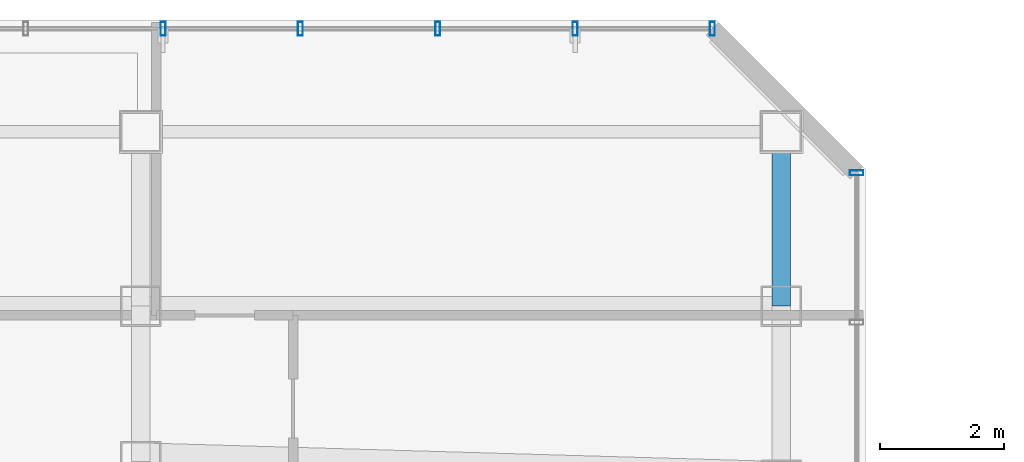
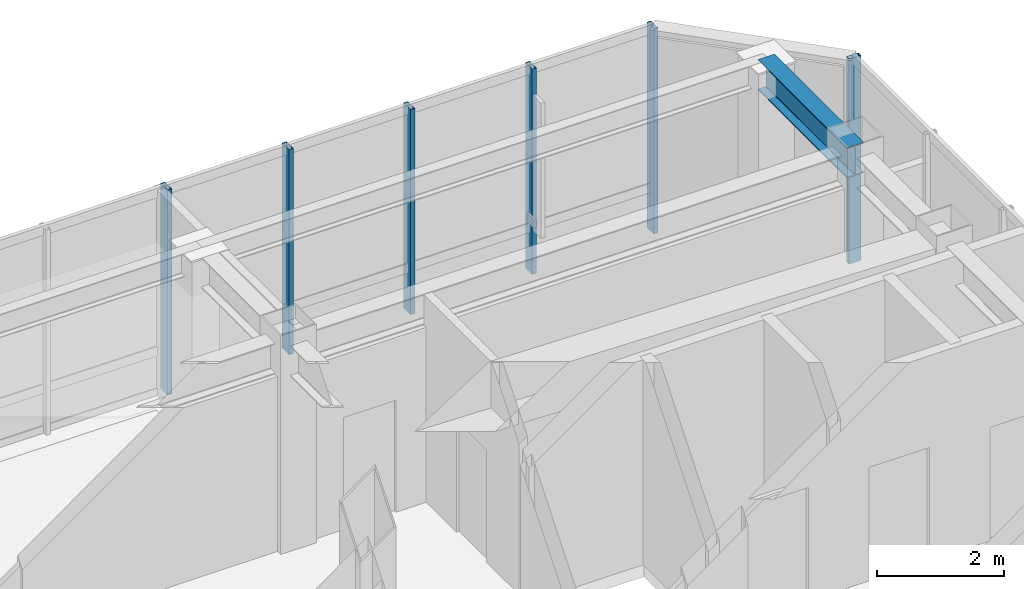
# One storey, part 15 of 22: 6 members, 1 beam, 2 elements without a shape of their own.
"""IFC4 building model written with IfcOpenShell, lengths in metres."""

from ifc_helpers import new_model, si_unit, direction, frame, origin, origin_2d, place, context, subcontext, project, spatial, hollow_rectangle, i_section, extrude, material, layer, layer_set, material_profile, profile_set, type_object, element, aggregate, save


model = new_model("IFC4")

# Units and contexts
model_context = context("Model", 3, precision=1e-05, world=origin(), true_north=direction((0.0, 1.0)))
body_context = subcontext(model_context, "Body", "Model", "MODEL_VIEW")
ifc_project = project(units=[si_unit("LENGTHUNIT", "METRE"), si_unit("AREAUNIT", "SQUARE_METRE"), si_unit("VOLUMEUNIT", "CUBIC_METRE"), si_unit("PLANEANGLEUNIT", "RADIAN"), si_unit("MASSUNIT", "GRAM", prefix="KILO")], contexts=[model_context])

# Site, building, storey
site_placement = place(None, origin())
site = spatial("IfcSite", under=ifc_project, at=site_placement, CompositionType="ELEMENT")
building_placement = place(site_placement, origin())
building = spatial("IfcBuilding", under=site, at=building_placement, Name="Hatsunagi Terrace Concourse", CompositionType="ELEMENT")
storey_placement = place(building_placement, frame((0.0, 0.0, 261.75)))
storey = spatial("IfcBuildingStorey", under=building, at=storey_placement, Name="L69", CompositionType="ELEMENT", Elevation=261.75)

# Curtain wall, members
ifc_material_1 = material(Name="Anodised Aluminium Alloy 6063-T5", Category="aluminium")
ifc_layer = layer(ifc_material_1, 0.199951171875)
ifc_layer_set = layer_set([ifc_layer], Name="SkyLobbyAtrium_CW05")
curtain_wall_type = type_object("IfcCurtainWallType", Name="SkyLobbyAtrium_CW05", PredefinedType="NOTDEFINED", material=ifc_layer_set)
curtain_wall_1_placement = place(storey_placement, origin())
curtain_wall_1 = element("IfcCurtainWall", 1, at=curtain_wall_1_placement, inside=storey, type_object=curtain_wall_type, Name="Unitised Curtain Wall CW-05 CW-L69-03", PredefinedType="NOTDEFINED")
ifc_material_2 = material(Name="Anodised Aluminium Alloy 6063-T5", Category="aluminium")
ifc_material_profile_1 = material_profile(ifc_material_2, hollow_rectangle(XDim=0.080078125, YDim=0.219970703125, WallThickness=0.0048828125, at=origin_2d()), Name="ALU-MUL-220x80x5")
ifc_profile_set_1 = profile_set([ifc_material_profile_1], Name="Anodised Aluminium Alloy 6063-T5")
member_type = type_object("IfcMemberType", Name="CurtainWallMullion_Heavy_220x80", PredefinedType="MULLION", material=ifc_profile_set_1)
member_1_placement = place(storey_placement, frame((33.7080078125, 50.260009765625, 0.0), z_axis=(0.0, 0.0, 1.0), x_axis=(1.0, 0.0, 0.0)))
member_1 = element("IfcMember", 2, at=member_1_placement, type_object=member_type, Name="Curtain Wall Mullion MUL-01", PredefinedType="MULLION", context=body_context, shape_type="SweptSolid", body=[
    extrude(hollow_rectangle(XDim=0.080078125, YDim=0.219970703125, WallThickness=0.0048828125, at=origin_2d()), origin(), (0.0, 0.0, 1.0), 3.93994140625),
])
member_2_placement = place(storey_placement, frame((35.9169921875, 50.260009765625, 0.0), z_axis=(0.0, 0.0, 1.0), x_axis=(1.0, 0.0, 0.0)))
member_2 = element("IfcMember", 3, at=member_2_placement, type_object=member_type, Name="Curtain Wall Mullion MUL-01", PredefinedType="MULLION", context=body_context, shape_type="SweptSolid", body=[
    extrude(hollow_rectangle(XDim=0.080078125, YDim=0.219970703125, WallThickness=0.0048828125, at=origin_2d()), origin(), (0.0, 0.0, 1.0), 3.93994140625),
])
member_3_placement = place(storey_placement, frame((38.125, 50.260009765625, 0.0), z_axis=(0.0, 0.0, 1.0), x_axis=(1.0, 0.0, 0.0)))
member_3 = element("IfcMember", 4, at=member_3_placement, type_object=member_type, Name="Curtain Wall Mullion MUL-01", PredefinedType="MULLION", context=body_context, shape_type="SweptSolid", body=[
    extrude(hollow_rectangle(XDim=0.080078125, YDim=0.219970703125, WallThickness=0.0048828125, at=origin_2d()), origin(), (0.0, 0.0, 1.0), 3.93994140625),
])
member_4_placement = place(storey_placement, frame((40.333984375, 50.260009765625, 0.0), z_axis=(0.0, 0.0, 1.0), x_axis=(1.0, 0.0, 0.0)))
member_4 = element("IfcMember", 5, at=member_4_placement, type_object=member_type, Name="Curtain Wall Mullion MUL-01", PredefinedType="MULLION", context=body_context, shape_type="SweptSolid", body=[
    extrude(hollow_rectangle(XDim=0.080078125, YDim=0.219970703125, WallThickness=0.0048828125, at=origin_2d()), origin(), (0.0, 0.0, 1.0), 3.93994140625),
])
member_5_placement = place(storey_placement, frame((42.5419921875, 50.260009765625, 0.0), z_axis=(0.0, 0.0, 1.0), x_axis=(1.0, 0.0, 0.0)))
member_5 = element("IfcMember", 6, at=member_5_placement, type_object=member_type, Name="Curtain Wall Mullion MUL-01", PredefinedType="MULLION", context=body_context, shape_type="SweptSolid", body=[
    extrude(hollow_rectangle(XDim=0.080078125, YDim=0.219970703125, WallThickness=0.0048828125, at=origin_2d()), origin(), (0.0, 0.0, 1.0), 3.93994140625),
])
aggregate(curtain_wall_1, [member_1, member_2, member_3, member_4, member_5])

# Curtain wall, member
curtain_wall_2_placement = place(storey_placement, origin())
curtain_wall_2 = element("IfcCurtainWall", 7, at=curtain_wall_2_placement, inside=storey, type_object=curtain_wall_type, Name="Unitised Curtain Wall CW-05 CW-L69-05", PredefinedType="NOTDEFINED")
member_6_placement = place(storey_placement, frame((44.860107421875, 47.94189453125, 0.0), z_axis=(0.0, 0.0, 1.0), x_axis=(0.0, -1.0, 0.0)))
member_6 = element("IfcMember", 8, at=member_6_placement, type_object=member_type, Name="Curtain Wall Mullion MUL-01", PredefinedType="MULLION", context=body_context, shape_type="SweptSolid", body=[
    extrude(hollow_rectangle(XDim=0.080078125, YDim=0.219970703125, WallThickness=0.0048828125, at=origin_2d()), origin(), (0.0, 0.0, 1.0), 3.93994140625),
])
aggregate(curtain_wall_2, [member_6])

# Beam
ifc_material_3 = material(Name="Steel SN490B", Category="steel")
ifc_material_profile_2 = material_profile(ifc_material_3, i_section(OverallWidth=0.300048828125, OverallDepth=0.587890625, WebThickness=0.011962890625, FlangeThickness=0.02001953125, FilletRadius=0.01806640625, at=origin_2d()), Name="H-588x300x12x20")
ifc_profile_set_2 = profile_set([ifc_material_profile_2], Name="Steel SN490B")
beam_type = type_object("IfcBeamType", Name="OfficeHighGirder_H_588x300", PredefinedType="BEAM", material=ifc_profile_set_2)
beam_placement = place(storey_placement, frame((43.64990234375, 45.800048828125, 3.656005859375), z_axis=(0.0, 1.0, 0.0), x_axis=(-1.0, 0.0, 0.0)))
element("IfcBeam", 9, at=beam_placement, inside=storey, type_object=beam_type, Name="Beam G-06 BM-L69-KN-WN6", PredefinedType="BEAM", context=body_context, shape_type="SweptSolid", body=[
    extrude(i_section(OverallWidth=0.300048828125, OverallDepth=0.587890625, WebThickness=0.011962890625, FlangeThickness=0.02001953125, FilletRadius=0.01806640625, at=origin_2d()), origin(), (0.0, 0.0, 1.0), 2.800048828125),
])

save(model, "model.ifc")
